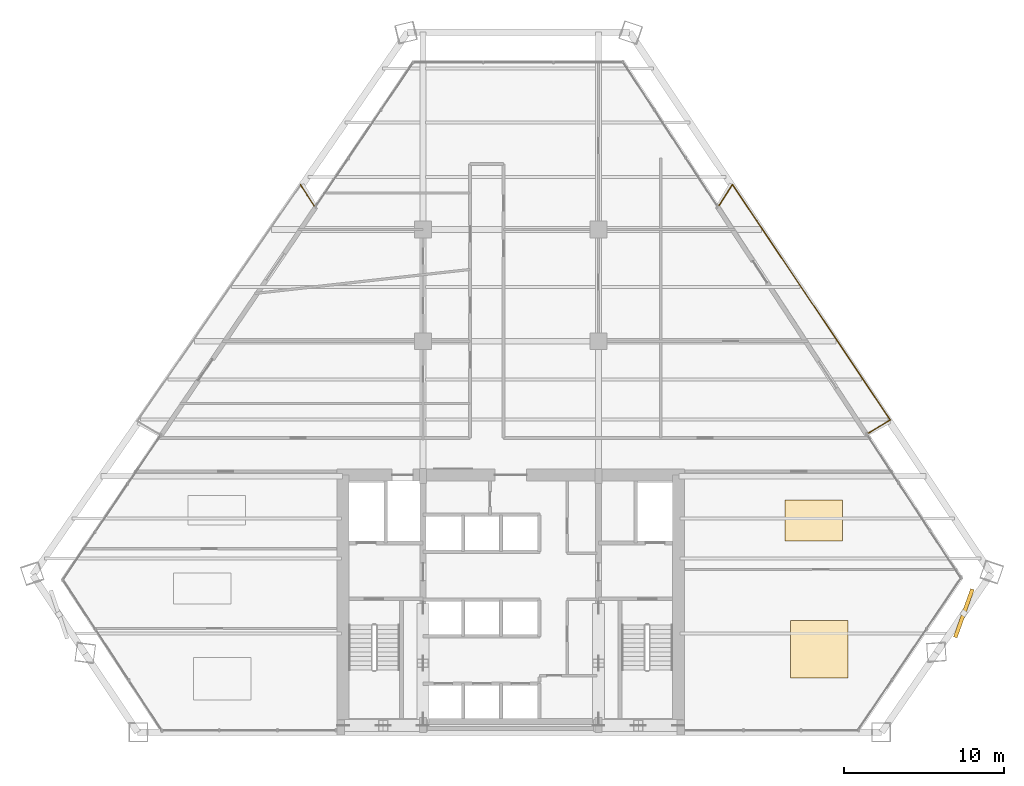
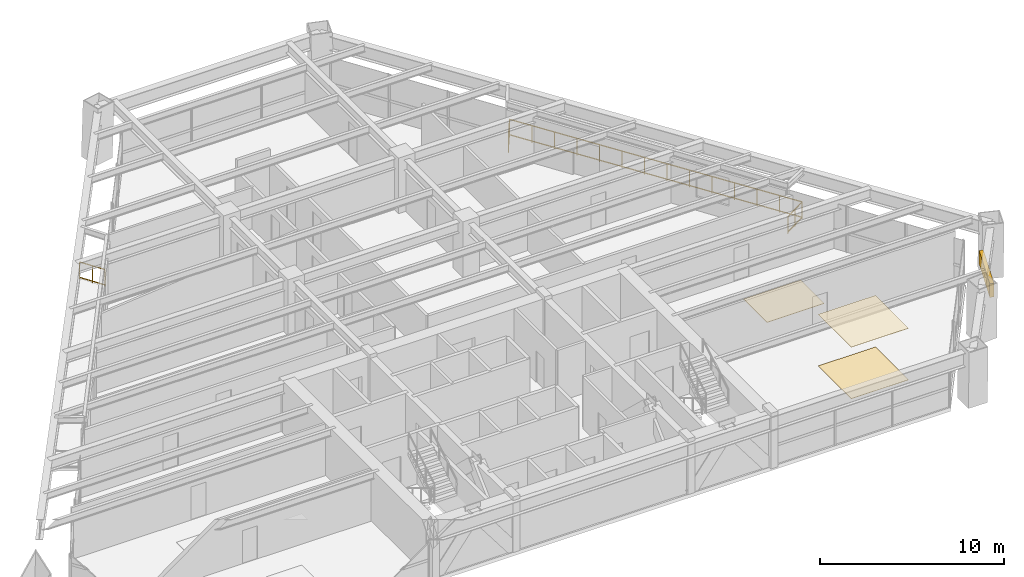
# One storey, part 14 of 14: 4 railings, 3 coverings, 1 shading device.
"""IFC4 building model written with IfcOpenShell, lengths in metres."""

from ifc_helpers import new_model, si_unit, direction, frame, origin, origin_2d, place, context, subcontext, project, spatial, rectangle, extrude, source, transform, mapped, material, layer, layer_set, type_object, type_shapes, element, save


model = new_model("IFC4")

# Units and contexts
model_context = context("Model", 3, precision=1e-05, world=origin(), true_north=direction((0.0, 1.0)))
body_context = subcontext(model_context, "Body", "Model", "MODEL_VIEW")
ifc_project = project(units=[si_unit("LENGTHUNIT", "METRE"), si_unit("AREAUNIT", "SQUARE_METRE"), si_unit("VOLUMEUNIT", "CUBIC_METRE"), si_unit("PLANEANGLEUNIT", "RADIAN"), si_unit("MASSUNIT", "GRAM", prefix="KILO")], contexts=[model_context])

# Site, building, storey
site_placement = place(None, origin())
site = spatial("IfcSite", under=ifc_project, at=site_placement, CompositionType="ELEMENT")
building_placement = place(site_placement, origin())
building = spatial("IfcBuilding", under=site, at=building_placement, Name="Varnakhor Terracotta Tower", CompositionType="ELEMENT")
storey_placement = place(building_placement, frame((0.0, 0.0, 76.60009765625)))
storey = spatial("IfcBuildingStorey", under=building, at=storey_placement, Name="L18", CompositionType="ELEMENT", Elevation=76.60009765625)

# Railings
ifc_material_1 = material(Name="Stainless Steel & Laminated Glass Guardrail", Category="steel")
railing_type = type_object("IfcRailingType", Name="RLG-LOGGIA-GUARD-1150", PredefinedType="GUARDRAIL", material=ifc_material_1)
railing_1_placement = place(storey_placement, frame((13.059814453125, 33.02001953125, 0.0)))
element("IfcRailing", 1, at=railing_1_placement, inside=storey, type_object=railing_type, Name="L18 E Loggia Glass Guard 1", PredefinedType="GUARDRAIL", context=body_context, shape_type="SweptSolid", body=[
    extrude(rectangle(XDim=0.048095703125, YDim=0.048095703125, at=origin_2d()), frame((0.0, 0.0, 1.1259765625), z_axis=(0.536662000488, 0.843797308145, 0.0), x_axis=(-0.843797308145, 0.536662000488, 0.0)), (0.0, 0.0, 1.0), 1.553955078125),
    extrude(rectangle(XDim=0.048095703125, YDim=0.048095703125, at=origin_2d()), frame((0.0, 0.0, 0.10009765625), z_axis=(0.536662000488, 0.843797308145, 0.0), x_axis=(-0.843797308145, 0.536662000488, 0.0)), (0.0, 0.0, 1.0), 1.553955078125),
    extrude(rectangle(XDim=0.0419921875, YDim=0.0419921875, at=origin_2d()), origin(), (0.0, 0.0, 1.0), 1.101806640625),
    extrude(rectangle(XDim=0.0419921875, YDim=0.0419921875, at=origin_2d()), frame((0.4169921875, 0.65576171875, 0.0)), (0.0, 0.0, 1.0), 1.101806640625),
    extrude(rectangle(XDim=0.0419921875, YDim=0.0419921875, at=origin_2d()), frame((0.833984375, 1.311279296875, 0.0)), (0.0, 0.0, 1.0), 1.101806640625),
])
railing_2_placement = place(storey_placement, frame((13.893798828125, 34.331298828125, 0.0)))
element("IfcRailing", 2, at=railing_2_placement, inside=storey, type_object=railing_type, Name="L18 E Loggia Glass Guard 2", PredefinedType="GUARDRAIL", context=body_context, shape_type="SweptSolid", body=[
    extrude(rectangle(XDim=0.048095703125, YDim=0.048095703125, at=origin_2d()), frame((0.0, 0.0, 1.1259765625), z_axis=(0.556312897765, -0.830972899546, 0.0), x_axis=(0.830972899546, 0.556312897765, 0.0)), (0.0, 0.0, 1.0), 17.7705078125),
    extrude(rectangle(XDim=0.048095703125, YDim=0.048095703125, at=origin_2d()), frame((0.0, 0.0, 0.10009765625), z_axis=(0.556312897765, -0.830972899546, 0.0), x_axis=(0.830972899546, 0.556312897765, 0.0)), (0.0, 0.0, 1.0), 17.7705078125),
    extrude(rectangle(XDim=0.0419921875, YDim=0.0419921875, at=origin_2d()), origin(), (0.0, 0.0, 1.0), 1.101806640625),
    extrude(rectangle(XDim=0.0419921875, YDim=0.0419921875, at=origin_2d()), frame((0.760498046875, -1.135986328125, 0.0)), (0.0, 0.0, 1.0), 1.101806640625),
    extrude(rectangle(XDim=0.0419921875, YDim=0.0419921875, at=origin_2d()), frame((1.52099609375, -2.271728515625, 0.0)), (0.0, 0.0, 1.0), 1.101806640625),
    extrude(rectangle(XDim=0.0419921875, YDim=0.0419921875, at=origin_2d()), frame((2.281494140625, -3.40771484375, 0.0)), (0.0, 0.0, 1.0), 1.101806640625),
    extrude(rectangle(XDim=0.0419921875, YDim=0.0419921875, at=origin_2d()), frame((3.041748046875, -4.543701171875, 0.0)), (0.0, 0.0, 1.0), 1.101806640625),
    extrude(rectangle(XDim=0.0419921875, YDim=0.0419921875, at=origin_2d()), frame((3.80224609375, -5.679443359375, 0.0)), (0.0, 0.0, 1.0), 1.101806640625),
    extrude(rectangle(XDim=0.0419921875, YDim=0.0419921875, at=origin_2d()), frame((4.562744140625, -6.8154296875, 0.0)), (0.0, 0.0, 1.0), 1.101806640625),
    extrude(rectangle(XDim=0.0419921875, YDim=0.0419921875, at=origin_2d()), frame((5.3232421875, -7.951416015625, 0.0)), (0.0, 0.0, 1.0), 1.101806640625),
    extrude(rectangle(XDim=0.0419921875, YDim=0.0419921875, at=origin_2d()), frame((6.083740234375, -9.08740234375, 0.0)), (0.0, 0.0, 1.0), 1.101806640625),
    extrude(rectangle(XDim=0.0419921875, YDim=0.0419921875, at=origin_2d()), frame((6.84423828125, -10.22314453125, 0.0)), (0.0, 0.0, 1.0), 1.101806640625),
    extrude(rectangle(XDim=0.0419921875, YDim=0.0419921875, at=origin_2d()), frame((7.6044921875, -11.359130859375, 0.0)), (0.0, 0.0, 1.0), 1.101806640625),
    extrude(rectangle(XDim=0.0419921875, YDim=0.0419921875, at=origin_2d()), frame((8.364990234375, -12.4951171875, 0.0)), (0.0, 0.0, 1.0), 1.101806640625),
    extrude(rectangle(XDim=0.0419921875, YDim=0.0419921875, at=origin_2d()), frame((9.12548828125, -13.630859375, 0.0)), (0.0, 0.0, 1.0), 1.101806640625),
    extrude(rectangle(XDim=0.0419921875, YDim=0.0419921875, at=origin_2d()), frame((9.885986328125, -14.766845703125, 0.0)), (0.0, 0.0, 1.0), 1.101806640625),
])
railing_3_placement = place(storey_placement, frame((23.77978515625, 19.564453125, 0.0)))
element("IfcRailing", 3, at=railing_3_placement, inside=storey, type_object=railing_type, Name="L18 E Loggia Glass Guard 3", PredefinedType="GUARDRAIL", context=body_context, shape_type="SweptSolid", body=[
    extrude(rectangle(XDim=0.048095703125, YDim=0.048095703125, at=origin_2d()), frame((0.0, 0.0, 1.1259765625), z_axis=(-0.857816389125, -0.51395626521, 0.0), x_axis=(0.51395626521, -0.857816389125, 0.0)), (0.0, 0.0, 1.0), 1.597412109375),
    extrude(rectangle(XDim=0.048095703125, YDim=0.048095703125, at=origin_2d()), frame((0.0, 0.0, 0.10009765625), z_axis=(-0.857816389125, -0.51395626521, 0.0), x_axis=(0.51395626521, -0.857816389125, 0.0)), (0.0, 0.0, 1.0), 1.597412109375),
    extrude(rectangle(XDim=0.0419921875, YDim=0.0419921875, at=origin_2d()), origin(), (0.0, 0.0, 1.0), 1.101806640625),
    extrude(rectangle(XDim=0.0419921875, YDim=0.0419921875, at=origin_2d()), frame((-0.68505859375, -0.41064453125, 0.0)), (0.0, 0.0, 1.0), 1.101806640625),
    extrude(rectangle(XDim=0.0419921875, YDim=0.0419921875, at=origin_2d()), frame((-1.370361328125, -0.821044921875, 0.0)), (0.0, 0.0, 1.0), 1.101806640625),
])
railing_4_placement = place(storey_placement, frame((-13.166748046875, 34.305908203125, 0.0)))
element("IfcRailing", 4, at=railing_4_placement, inside=storey, type_object=railing_type, Name="L18 W Loggia Glass Guard 3", PredefinedType="GUARDRAIL", context=body_context, shape_type="SweptSolid", body=[
    extrude(rectangle(XDim=0.048095703125, YDim=0.048095703125, at=origin_2d()), frame((0.0, 0.0, 1.1259765625), z_axis=(0.537769502125, -0.843091906369, 0.0), x_axis=(0.843091906369, 0.537769502125, 0.0)), (0.0, 0.0, 1.0), 1.554443359375),
    extrude(rectangle(XDim=0.048095703125, YDim=0.048095703125, at=origin_2d()), frame((0.0, 0.0, 0.10009765625), z_axis=(0.537769502125, -0.843091906369, 0.0), x_axis=(0.843091906369, 0.537769502125, 0.0)), (0.0, 0.0, 1.0), 1.554443359375),
    extrude(rectangle(XDim=0.0419921875, YDim=0.0419921875, at=origin_2d()), origin(), (0.0, 0.0, 1.0), 1.101806640625),
    extrude(rectangle(XDim=0.0419921875, YDim=0.0419921875, at=origin_2d()), frame((0.41796875, -0.6552734375, 0.0)), (0.0, 0.0, 1.0), 1.101806640625),
    extrude(rectangle(XDim=0.0419921875, YDim=0.0419921875, at=origin_2d()), frame((0.8359375, -1.310546875, 0.0)), (0.0, 0.0, 1.0), 1.101806640625),
])

# Shading device
ifc_material_2 = material(Name="Extruded Architectural Terracotta Screen", Category="masonry")
shading_device_type = type_object("IfcShadingDeviceType", Name="TERRACOTTA SOLAR SCREEN E", PredefinedType="USERDEFINED", material=ifc_material_2)
shared_shape_1 = source(origin(), body_context, "Body", "SweptSolid", [
    extrude(rectangle(XDim=3.199951171875, YDim=0.239990234375, at=origin_2d()), origin(), (0.0, 0.0, 1.0), 0.919921875),
])
type_shapes(shading_device_type, [shared_shape_1])
shading_device_placement = place(storey_placement, frame((28.39501953125, 7.453125, 1.617919921875), z_axis=(0.0, 0.0, 1.0), x_axis=(0.335829708811, 0.941922717998, 0.0)))
element("IfcShadingDevice", 5, at=shading_device_placement, inside=storey, type_object=shading_device_type, Name="L18 E Terracotta Solar Screen", ObjectType="SCREEN", PredefinedType="USERDEFINED", context=body_context, shape_type="MappedRepresentation", body=[
    mapped(shared_shape_1, transform((0.0, 0.0, 0.0), scale=1.0)),
])

# Coverings
ifc_material_3 = material(Name="Honed Riyadh Limestone Flooring", Category="masonry")
ifc_layer_1 = layer(ifc_material_3, 0.030029296875, Name="Honed Riyadh Limestone Flooring")
ifc_layer_set_1 = layer_set([ifc_layer_1], Name="Honed Riyadh Limestone Flooring")
covering_type_1 = type_object("IfcCoveringType", Name="COV-FLOOR-LIMESTONE", PredefinedType="FLOORING", material=ifc_layer_set_1)
shared_shape_2 = source(origin(), body_context, "Body", "SweptSolid", [
    extrude(rectangle(XDim=3.60009765625, YDim=3.60009765625, at=origin_2d()), origin(), (0.0, 0.0, 1.0), 0.02001953125),
])
covering_1_placement = place(storey_placement, frame((19.340087890625, 5.201904296875, 0.0), z_axis=(0.0, 0.0, 1.0), x_axis=(1.0, 0.0, 0.0)))
element("IfcCovering", 6, at=covering_1_placement, inside=storey, type_object=covering_type_1, Name="L18 Honed Stone Flooring 2", PredefinedType="FLOORING", context=body_context, shape_type="MappedRepresentation", body=[
    mapped(shared_shape_2, transform((0.0, 0.0, 0.0), scale=1.0)),
])
ifc_material_4 = material(Name="Perforated Acoustic Mineral-Fibre Ceiling", Category="gypsum")
ifc_layer_2 = layer(ifc_material_4, 0.02490234375, Name="Perforated Acoustic Mineral-Fibre Ceiling")
ifc_layer_set_2 = layer_set([ifc_layer_2], Name="Perforated Acoustic Mineral-Fibre Ceiling")
covering_type_2 = type_object("IfcCoveringType", Name="COV-CEILING-ACOUSTIC", PredefinedType="CEILING", material=ifc_layer_set_2)
shared_shape_3 = source(origin(), body_context, "Body", "SweptSolid", [
    extrude(rectangle(XDim=3.60009765625, YDim=3.60009765625, at=origin_2d()), origin(), (0.0, 0.0, 1.0), 0.02392578125),
])
covering_2_placement = place(storey_placement, frame((19.340087890625, 5.201904296875, 3.426025390625), z_axis=(0.0, 0.0, 1.0), x_axis=(1.0, 0.0, 0.0)))
element("IfcCovering", 7, at=covering_2_placement, inside=storey, type_object=covering_type_2, Name="L18 Acoustic Ceiling Panel 2", PredefinedType="CEILING", context=body_context, shape_type="MappedRepresentation", body=[
    mapped(shared_shape_3, transform((0.0, 0.0, 0.0), scale=1.0)),
])
shared_shape_4 = source(origin(), body_context, "Body", "SweptSolid", [
    extrude(rectangle(XDim=3.60009765625, YDim=2.572021484375, at=origin_2d()), origin(), (0.0, 0.0, 1.0), 0.02001953125),
])
covering_3_placement = place(storey_placement, frame((18.993896484375, 13.263916015625, 0.0), z_axis=(0.0, 0.0, 1.0), x_axis=(1.0, 0.0, 0.0)))
element("IfcCovering", 8, at=covering_3_placement, inside=storey, type_object=covering_type_1, Name="L18 Honed Stone Flooring 4", PredefinedType="FLOORING", context=body_context, shape_type="MappedRepresentation", body=[
    mapped(shared_shape_4, transform((0.0, 0.0, 0.0), scale=1.0)),
])

save(model, "model.ifc")
